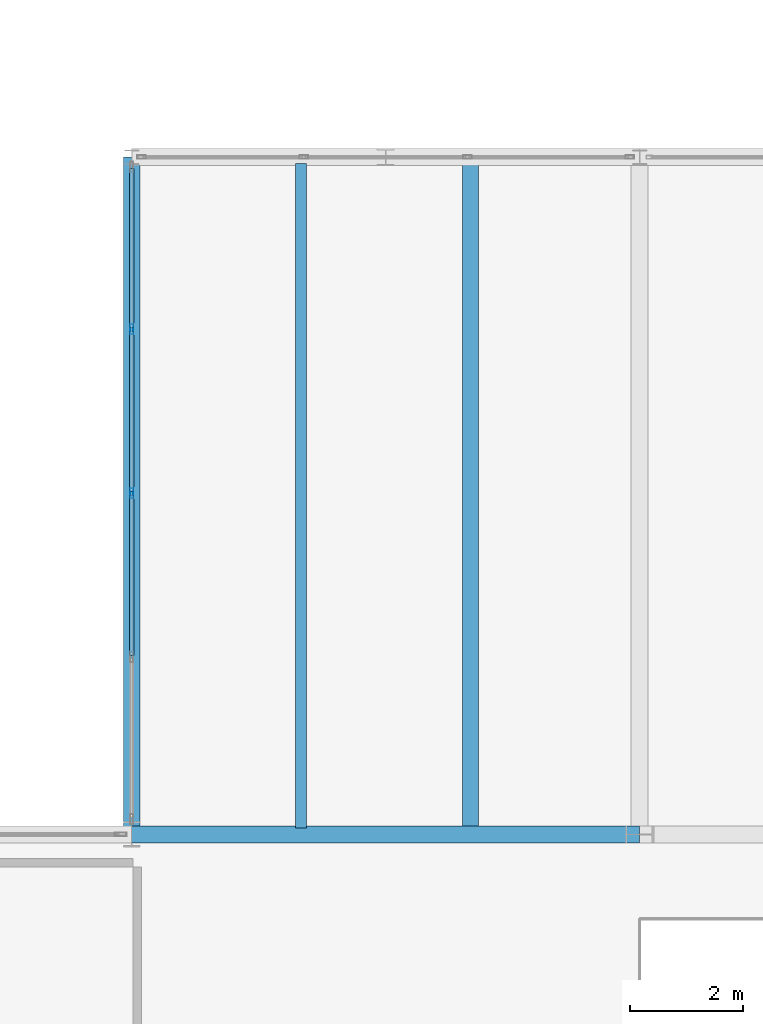
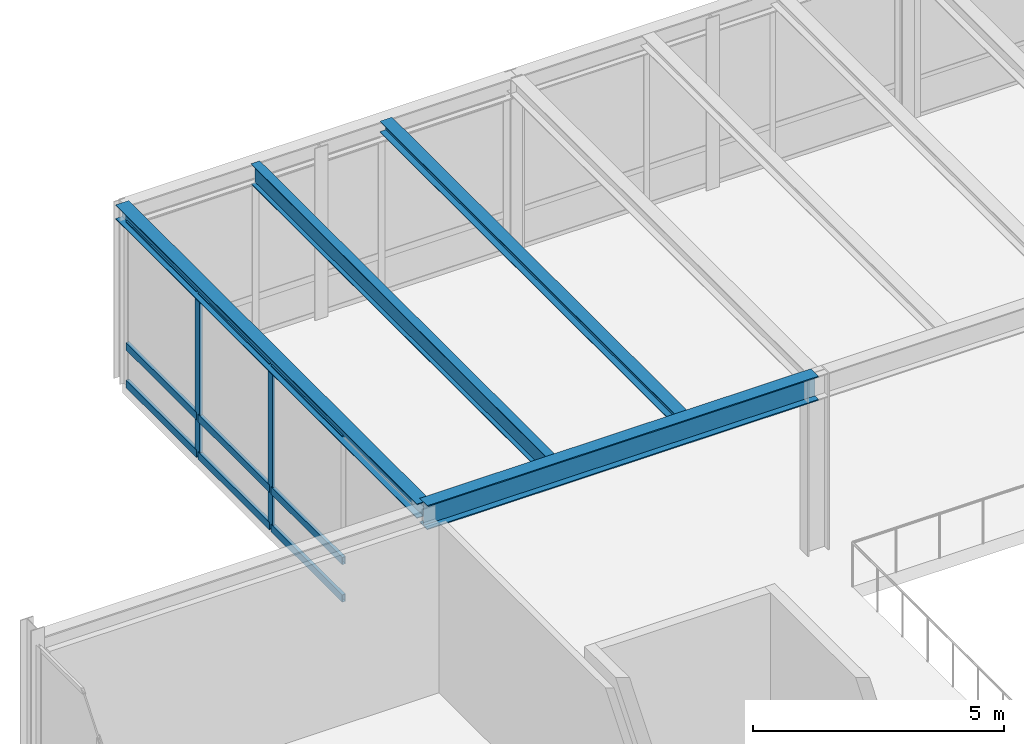
# One storey, part 64 of 115: 11 members, 4 beams, 1 element without a shape of its own.
"""IFC4 building model written with IfcOpenShell, lengths in metres."""

from ifc_helpers import new_model, si_unit, direction, frame, origin, origin_2d, place, context, subcontext, project, spatial, hollow_rectangle, i_section, extrude, material, layer, layer_set, material_profile, profile_set, type_object, element, aggregate, save


model = new_model("IFC4")

# Units and contexts
model_context = context("Model", 3, precision=1e-05, world=origin(), true_north=direction((0.0, 1.0)))
body_context = subcontext(model_context, "Body", "Model", "MODEL_VIEW")
ifc_project = project(units=[si_unit("LENGTHUNIT", "METRE"), si_unit("AREAUNIT", "SQUARE_METRE"), si_unit("VOLUMEUNIT", "CUBIC_METRE"), si_unit("PLANEANGLEUNIT", "RADIAN"), si_unit("MASSUNIT", "GRAM", prefix="KILO")], contexts=[model_context])

# Site, building, storey
site_placement = place(None, origin())
site = spatial("IfcSite", under=ifc_project, at=site_placement, CompositionType="ELEMENT")
building_placement = place(site_placement, origin())
building = spatial("IfcBuilding", under=site, at=building_placement, Name="Montelvaro Courts of Justice", CompositionType="ELEMENT")
storey_placement = place(building_placement, frame((0.0, 0.0, 9.89990234375)))
storey = spatial("IfcBuildingStorey", under=building, at=storey_placement, Name="L02", CompositionType="ELEMENT", Elevation=9.89990234375)

# Beams
ifc_material_1 = material(Name="Steel S355", Category="steel")
ifc_material_profile_1 = material_profile(ifc_material_1, i_section(OverallWidth=0.280029296875, OverallDepth=0.27001953125, WebThickness=0.008056640625, FlangeThickness=0.012939453125, at=origin_2d()), Name="HEA 280")
ifc_profile_set_1 = profile_set([ifc_material_profile_1], Name="Steel S355")
beam_type_1 = type_object("IfcBeamType", Name="Beam_HEA280", PredefinedType="BEAM", material=ifc_profile_set_1)
beam_1_placement = place(storey_placement, frame((33.0, 96.110107421875, 4.1650390625), z_axis=(0.0, 1.0, 0.0), x_axis=(-1.0, 0.0, 0.0)))
element("IfcBeam", 1, at=beam_1_placement, inside=storey, type_object=beam_type_1, Name="Beam B-14 L02", PredefinedType="BEAM", context=body_context, shape_type="SweptSolid", body=[
    extrude(i_section(OverallWidth=0.280029296875, OverallDepth=0.27001953125, WebThickness=0.008056640625, FlangeThickness=0.012939453125, at=origin_2d()), origin(), (0.0, 0.0, 1.0), 11.77978515625),
])
ifc_material_profile_2 = material_profile(ifc_material_1, i_section(OverallWidth=0.300048828125, OverallDepth=0.35009765625, WebThickness=0.010009765625, FlangeThickness=0.017578125, at=origin_2d()), Name="HEA 360")
ifc_profile_set_2 = profile_set([ifc_material_profile_2], Name="Steel S355")
beam_type_2 = type_object("IfcBeamType", Name="Beam_HEA360", PredefinedType="USERDEFINED", material=ifc_profile_set_2)
beam_2_placement = place(storey_placement, frame((27.0, 96.0, 4.125), z_axis=(0.0, 1.0, 0.0), x_axis=(-1.0, 0.0, 0.0)))
element("IfcBeam", 2, at=beam_2_placement, inside=storey, type_object=beam_type_2, Name="Beam B-16 L02", ObjectType="GIRDER", PredefinedType="USERDEFINED", context=body_context, shape_type="SweptSolid", body=[
    extrude(i_section(OverallWidth=0.300048828125, OverallDepth=0.35009765625, WebThickness=0.010009765625, FlangeThickness=0.017578125, at=origin_2d()), origin(), (0.0, 0.0, 1.0), 12.0),
])
ifc_material_profile_3 = material_profile(ifc_material_1, i_section(OverallWidth=0.300048828125, OverallDepth=0.590087890625, WebThickness=0.012939453125, FlangeThickness=0.02490234375, at=origin_2d()), Name="HEA 600")
ifc_profile_set_3 = profile_set([ifc_material_profile_3], Name="Steel S355")
beam_type_3 = type_object("IfcBeamType", Name="Beam_HEA600", PredefinedType="USERDEFINED", material=ifc_profile_set_3)
beam_3_placement = place(storey_placement, frame((27.0, 96.0, 4.005126953125), z_axis=(1.0, 0.0, 0.0), x_axis=(0.0, 1.0, 0.0)))
element("IfcBeam", 3, at=beam_3_placement, inside=storey, type_object=beam_type_3, Name="Beam B-21 L02", ObjectType="GIRDER", PredefinedType="USERDEFINED", context=body_context, shape_type="SweptSolid", body=[
    extrude(i_section(OverallWidth=0.300048828125, OverallDepth=0.590087890625, WebThickness=0.012939453125, FlangeThickness=0.02490234375, at=origin_2d()), origin(), (0.0, 0.0, 1.0), 9.0),
])
ifc_material_profile_4 = material_profile(ifc_material_1, i_section(OverallWidth=0.199951171875, OverallDepth=0.5, WebThickness=0.01025390625, FlangeThickness=0.01611328125, at=origin_2d()), Name="IPE 500")
ifc_profile_set_4 = profile_set([ifc_material_profile_4], Name="Steel S355")
beam_type_4 = type_object("IfcBeamType", Name="Beam_IPE500", PredefinedType="BEAM", material=ifc_profile_set_4)
beam_4_placement = place(storey_placement, frame((30.0, 96.110107421875, 4.050048828125), z_axis=(0.0, 1.0, 0.0), x_axis=(-1.0, 0.0, 0.0)))
element("IfcBeam", 4, at=beam_4_placement, inside=storey, type_object=beam_type_4, Name="Beam B-10 L02", PredefinedType="BEAM", context=body_context, shape_type="SweptSolid", body=[
    extrude(i_section(OverallWidth=0.199951171875, OverallDepth=0.5, WebThickness=0.01025390625, FlangeThickness=0.01611328125, at=origin_2d()), origin(), (0.0, 0.0, 1.0), 11.77978515625),
])

# Curtain wall, members
ifc_material_2 = material(Name="Anodised aluminium EN AW-6063", Category="aluminium")
ifc_layer = layer(ifc_material_2, 0.159912109375)
ifc_layer_set = layer_set([ifc_layer], Name="Anodised aluminium EN AW-6063")
curtain_wall_type = type_object("IfcCurtainWallType", Name="CurtainWall_19_1159x418", PredefinedType="USERDEFINED", material=ifc_layer_set)
curtain_wall_placement = place(storey_placement, origin())
curtain_wall = element("IfcCurtainWall", 5, at=curtain_wall_placement, inside=storey, type_object=curtain_wall_type, Name="Curtain Wall CW-19 (L02)", ObjectType="CURTAIN WALL", PredefinedType="USERDEFINED")
ifc_material_profile_5 = material_profile(ifc_material_2, hollow_rectangle(XDim=0.06005859375, YDim=0.179931640625, WallThickness=0.00439453125, at=origin_2d()), Name="ALU-M 60x180")
ifc_profile_set_5 = profile_set([ifc_material_profile_5], Name="Anodised aluminium EN AW-6063")
member_type_1 = type_object("IfcMemberType", Name="CurtainWall_Mullion_60x180", PredefinedType="MULLION", material=ifc_profile_set_5)
member_1_placement = place(storey_placement, frame((27.0, 104.951171875, 0.0), z_axis=(0.0, 0.0, 1.0), x_axis=(1.0, 0.0, 0.0)))
member_1 = element("IfcMember", 6, at=member_1_placement, type_object=member_type_1, Name="CW-19 mullion 2", PredefinedType="MULLION", context=body_context, shape_type="SweptSolid", body=[
    extrude(hollow_rectangle(XDim=0.06005859375, YDim=0.179931640625, WallThickness=0.00439453125, at=origin_2d()), origin(), (0.0, 0.0, 1.0), 3.945068359375),
])
member_2_placement = place(storey_placement, frame((27.0, 102.047607421875, 0.0), z_axis=(0.0, 0.0, 1.0), x_axis=(1.0, 0.0, 0.0)))
member_2 = element("IfcMember", 7, at=member_2_placement, type_object=member_type_1, Name="CW-19 mullion 3", PredefinedType="MULLION", context=body_context, shape_type="SweptSolid", body=[
    extrude(hollow_rectangle(XDim=0.06005859375, YDim=0.179931640625, WallThickness=0.00439453125, at=origin_2d()), origin(), (0.0, 0.0, 1.0), 3.945068359375),
])
ifc_material_profile_6 = material_profile(ifc_material_2, hollow_rectangle(XDim=0.074951171875, YDim=0.179931640625, WallThickness=0.0048828125, at=origin_2d()), Name="ALU-T 75x180")
ifc_profile_set_6 = profile_set([ifc_material_profile_6], Name="Anodised aluminium EN AW-6063")
member_type_2 = type_object("IfcMemberType", Name="CurtainWall_Transom_75x180", PredefinedType="USERDEFINED", material=ifc_profile_set_6)
member_3_placement = place(storey_placement, frame((27.0, 107.794921875, 0.03759765625), z_axis=(0.0, -1.0, 0.0), x_axis=(1.0, 0.0, 0.0)))
member_3 = element("IfcMember", 8, at=member_3_placement, type_object=member_type_2, Name="CW-19 transom 1.1", ObjectType="TRANSOM", PredefinedType="USERDEFINED", context=body_context, shape_type="SweptSolid", body=[
    extrude(hollow_rectangle(XDim=0.074951171875, YDim=0.179931640625, WallThickness=0.0048828125, at=origin_2d()), origin(), (0.0, 0.0, 1.0), 2.813720703125),
])
member_4_placement = place(storey_placement, frame((27.0, 107.794921875, 0.9501953125), z_axis=(0.0, -1.0, 0.0), x_axis=(1.0, 0.0, 0.0)))
member_4 = element("IfcMember", 9, at=member_4_placement, type_object=member_type_2, Name="CW-19 transom 1.2", ObjectType="TRANSOM", PredefinedType="USERDEFINED", context=body_context, shape_type="SweptSolid", body=[
    extrude(hollow_rectangle(XDim=0.074951171875, YDim=0.179931640625, WallThickness=0.0048828125, at=origin_2d()), origin(), (0.0, 0.0, 1.0), 2.813720703125),
])
member_5_placement = place(storey_placement, frame((27.0, 107.794921875, 3.90771484375), z_axis=(0.0, -1.0, 0.0), x_axis=(1.0, 0.0, 0.0)))
member_5 = element("IfcMember", 10, at=member_5_placement, type_object=member_type_2, Name="CW-19 transom 1.3", ObjectType="TRANSOM", PredefinedType="USERDEFINED", context=body_context, shape_type="SweptSolid", body=[
    extrude(hollow_rectangle(XDim=0.074951171875, YDim=0.179931640625, WallThickness=0.0048828125, at=origin_2d()), origin(), (0.0, 0.0, 1.0), 2.813720703125),
])
member_6_placement = place(storey_placement, frame((27.0, 104.921142578125, 0.03759765625), z_axis=(0.0, -1.0, 0.0), x_axis=(1.0, 0.0, 0.0)))
member_6 = element("IfcMember", 11, at=member_6_placement, type_object=member_type_2, Name="CW-19 transom 2.1", ObjectType="TRANSOM", PredefinedType="USERDEFINED", context=body_context, shape_type="SweptSolid", body=[
    extrude(hollow_rectangle(XDim=0.074951171875, YDim=0.179931640625, WallThickness=0.0048828125, at=origin_2d()), origin(), (0.0, 0.0, 1.0), 2.84375),
])
member_7_placement = place(storey_placement, frame((27.0, 104.921142578125, 0.9501953125), z_axis=(0.0, -1.0, 0.0), x_axis=(1.0, 0.0, 0.0)))
member_7 = element("IfcMember", 12, at=member_7_placement, type_object=member_type_2, Name="CW-19 transom 2.2", ObjectType="TRANSOM", PredefinedType="USERDEFINED", context=body_context, shape_type="SweptSolid", body=[
    extrude(hollow_rectangle(XDim=0.074951171875, YDim=0.179931640625, WallThickness=0.0048828125, at=origin_2d()), origin(), (0.0, 0.0, 1.0), 2.84375),
])
member_8_placement = place(storey_placement, frame((27.0, 104.921142578125, 3.90771484375), z_axis=(0.0, -1.0, 0.0), x_axis=(1.0, 0.0, 0.0)))
member_8 = element("IfcMember", 13, at=member_8_placement, type_object=member_type_2, Name="CW-19 transom 2.3", ObjectType="TRANSOM", PredefinedType="USERDEFINED", context=body_context, shape_type="SweptSolid", body=[
    extrude(hollow_rectangle(XDim=0.074951171875, YDim=0.179931640625, WallThickness=0.0048828125, at=origin_2d()), origin(), (0.0, 0.0, 1.0), 2.84375),
])
member_9_placement = place(storey_placement, frame((27.0, 102.017578125, 0.03759765625), z_axis=(0.0, -1.0, 0.0), x_axis=(1.0, 0.0, 0.0)))
member_9 = element("IfcMember", 14, at=member_9_placement, type_object=member_type_2, Name="CW-19 transom 3.1", ObjectType="TRANSOM", PredefinedType="USERDEFINED", context=body_context, shape_type="SweptSolid", body=[
    extrude(hollow_rectangle(XDim=0.074951171875, YDim=0.179931640625, WallThickness=0.0048828125, at=origin_2d()), origin(), (0.0, 0.0, 1.0), 2.84375),
])
member_10_placement = place(storey_placement, frame((27.0, 102.017578125, 0.9501953125), z_axis=(0.0, -1.0, 0.0), x_axis=(1.0, 0.0, 0.0)))
member_10 = element("IfcMember", 15, at=member_10_placement, type_object=member_type_2, Name="CW-19 transom 3.2", ObjectType="TRANSOM", PredefinedType="USERDEFINED", context=body_context, shape_type="SweptSolid", body=[
    extrude(hollow_rectangle(XDim=0.074951171875, YDim=0.179931640625, WallThickness=0.0048828125, at=origin_2d()), origin(), (0.0, 0.0, 1.0), 2.84375),
])
member_11_placement = place(storey_placement, frame((27.0, 102.017578125, 3.90771484375), z_axis=(0.0, -1.0, 0.0), x_axis=(1.0, 0.0, 0.0)))
member_11 = element("IfcMember", 16, at=member_11_placement, type_object=member_type_2, Name="CW-19 transom 3.3", ObjectType="TRANSOM", PredefinedType="USERDEFINED", context=body_context, shape_type="SweptSolid", body=[
    extrude(hollow_rectangle(XDim=0.074951171875, YDim=0.179931640625, WallThickness=0.0048828125, at=origin_2d()), origin(), (0.0, 0.0, 1.0), 2.84375),
])
aggregate(curtain_wall, [member_1, member_2, member_3, member_4, member_5, member_6, member_7, member_8, member_9, member_10, member_11])

save(model, "model.ifc")
